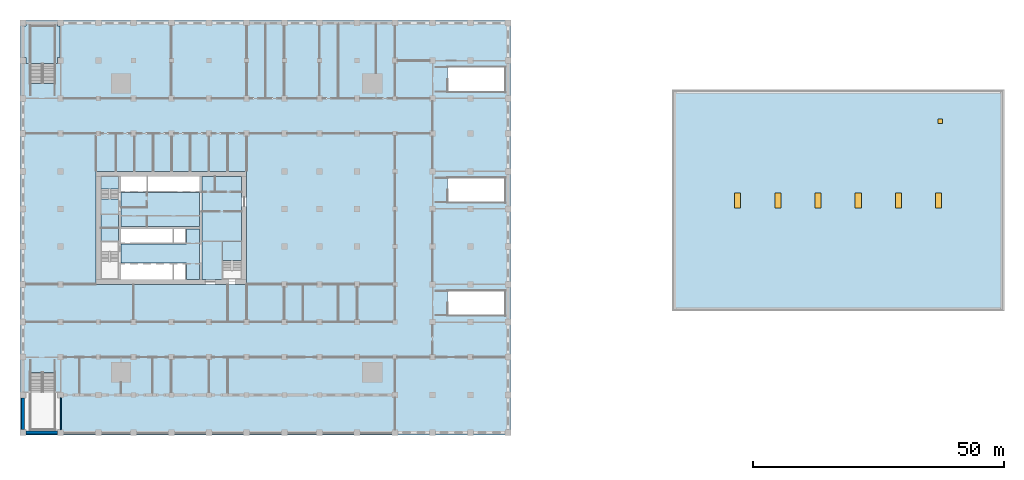
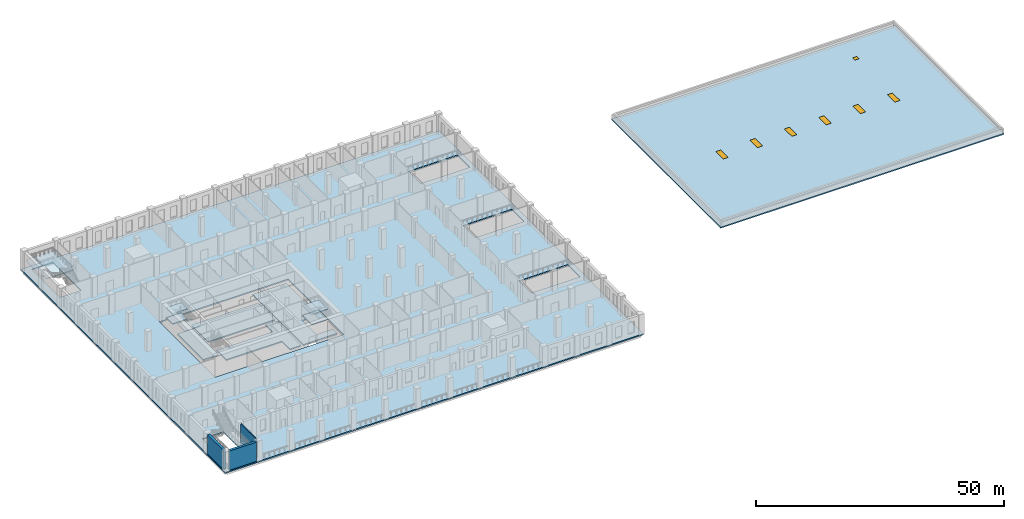
# One storey, part 2 of 22: 12 slabs, 7 windows, 3 walls, 7 openings, 3 elements without a shape of their own.
"""IFC4 building model written with IfcOpenShell, lengths in metres."""

from ifc_helpers import new_model, si_unit, direction, frame, frame_2d, origin, origin_2d, place, context, subcontext, project, spatial, polyline, rectangle, outline, extrude, material, layer, layer_set, type_object, element, fill, aggregate, save


model = new_model("IFC4")

# Units and contexts
model_context = context("Model", 3, precision=1e-05, world=origin(), true_north=direction((0.0, 1.0)))
body_context = subcontext(model_context, "Body", "Model", "MODEL_VIEW")
ifc_project = project(units=[si_unit("LENGTHUNIT", "METRE"), si_unit("AREAUNIT", "SQUARE_METRE"), si_unit("VOLUMEUNIT", "CUBIC_METRE"), si_unit("PLANEANGLEUNIT", "RADIAN"), si_unit("MASSUNIT", "GRAM", prefix="KILO")], contexts=[model_context])

# Site, building, storey
site_placement = place(None, origin())
site = spatial("IfcSite", under=ifc_project, at=site_placement, CompositionType="ELEMENT")
building_placement = place(site_placement, origin())
building = spatial("IfcBuilding", under=site, at=building_placement, Name="Tamorin Gate", CompositionType="ELEMENT")
storey_placement = place(building_placement, frame((0.0, 0.0, 29.0)))
storey = spatial("IfcBuildingStorey", under=building, at=storey_placement, Name="L05", CompositionType="ELEMENT", Elevation=29.0)

# Slabs
ifc_material_1 = material(Name="Concrete C40/50", Category="concrete")
ifc_layer_1 = layer(ifc_material_1, 0.300048828125)
ifc_layer_set_1 = layer_set([ifc_layer_1], Name="Core floor slab 300 C40/50")
slab_type_1 = type_object("IfcSlabType", Name="Core floor slab 300 C40/50", PredefinedType="FLOOR", material=ifc_layer_set_1)
slab_1_placement = place(storey_placement, frame((0.0, 0.0, -0.300048828125)))
element("IfcSlab", 1, at=slab_1_placement, inside=storey, type_object=slab_type_1, Name="Core floor L05", PredefinedType="FLOOR", context=body_context, shape_type="SweptSolid", body=[
    extrude(outline(polyline([(59.0, 62.800048828125), (59.0, 61.0), (51.10009765625, 61.0), (51.10009765625, 81.5), (59.0, 81.5), (59.0, 68.5), (55.199951171875, 68.5), (55.199951171875, 62.800048828125), (59.0, 62.800048828125)])), origin(), (0.0, 0.0, 1.0), 0.300048828125),
])
slab_2_placement = place(storey_placement, frame((0.0, 0.0, -0.300048828125)))
element("IfcSlab", 2, at=slab_2_placement, inside=storey, type_object=slab_type_1, Name="Core floor L05", PredefinedType="FLOOR", context=body_context, shape_type="SweptSolid", body=[
    extrude(outline(polyline([(50.60009765625, 61.0), (48.0, 61.0), (48.0, 64.199951171875), (35.0, 64.199951171875), (35.0, 68.050048828125), (48.0, 68.050048828125), (48.0, 71.0), (50.60009765625, 71.0), (50.60009765625, 61.0)])), origin(), (0.0, 0.0, 1.0), 0.300048828125),
])
slab_3_placement = place(storey_placement, frame((0.0, 0.0, -0.300048828125)))
element("IfcSlab", 3, at=slab_3_placement, inside=storey, type_object=slab_type_1, Name="Core floor L05", PredefinedType="FLOOR", context=body_context, shape_type="SweptSolid", body=[
    extrude(outline(polyline([(50.60009765625, 71.5), (35.0, 71.5), (35.0, 78.300048828125), (50.60009765625, 78.300048828125), (50.60009765625, 71.5)])), origin(), (0.0, 0.0, 1.0), 0.300048828125),
])
slab_4_placement = place(storey_placement, frame((0.0, 0.0, -0.300048828125)))
element("IfcSlab", 4, at=slab_4_placement, inside=storey, type_object=slab_type_1, Name="Core floor L05", PredefinedType="FLOOR", context=body_context, shape_type="SweptSolid", body=[
    extrude(outline(polyline([(31.0, 66.5), (31.0, 77.0), (34.5, 77.0), (34.5, 66.5), (31.0, 66.5)])), origin(), (0.0, 0.0, 1.0), 0.300048828125),
])

# Stair, slabs
stair_type_1 = type_object("IfcStairType", Name="Exit stair", PredefinedType="HALF_TURN_STAIR", material=ifc_material_1)
stair_1_placement = place(storey_placement, origin())
stair_1 = element("IfcStair", 5, at=stair_1_placement, inside=storey, type_object=stair_type_1, Name="L05 stair ST2", PredefinedType="HALF_TURN_STAIR")
ifc_layer_2 = layer(ifc_material_1, 0.199951171875)
ifc_layer_set_2 = layer_set([ifc_layer_2], Name="Exit stair landing 200")
slab_type_2 = type_object("IfcSlabType", Name="Exit stair landing 200", PredefinedType="LANDING", material=ifc_layer_set_2)
slab_5_placement = place(storey_placement, frame((0.0, 0.0, 1.050048828125)))
slab_5 = element("IfcSlab", 6, at=slab_5_placement, type_object=slab_type_2, Name="ST2 landing 1", PredefinedType="LANDING", context=body_context, shape_type="SweptSolid", body=[
    extrude(outline(polyline([(34.5, 78.9599609375), (34.5, 81.5), (31.0, 81.5), (31.0, 78.9599609375), (34.5, 78.9599609375)])), origin(), (0.0, 0.0, 1.0), 0.199951171875),
])
slab_6_placement = place(storey_placement, frame((0.0, 0.0, 2.300048828125)))
slab_6 = element("IfcSlab", 7, at=slab_6_placement, type_object=slab_type_2, Name="ST2 landing 2", PredefinedType="LANDING", context=body_context, shape_type="SweptSolid", body=[
    extrude(outline(polyline([(34.5, 74.0), (34.5, 77.0), (31.0, 77.0), (31.0, 74.0), (34.5, 74.0)])), origin(), (0.0, 0.0, 1.0), 0.199951171875),
])
slab_7_placement = place(storey_placement, frame((0.0, 0.0, 3.550048828125)))
slab_7 = element("IfcSlab", 8, at=slab_7_placement, type_object=slab_type_2, Name="ST2 landing 3", PredefinedType="LANDING", context=body_context, shape_type="SweptSolid", body=[
    extrude(outline(polyline([(34.5, 78.9599609375), (34.5, 81.5), (31.0, 81.5), (31.0, 78.9599609375), (34.5, 78.9599609375)])), origin(), (0.0, 0.0, 1.0), 0.199951171875),
])
aggregate(stair_1, [slab_5, slab_6, slab_7])

stair_2_placement = place(storey_placement, origin())
stair_2 = element("IfcStair", 9, at=stair_2_placement, inside=storey, type_object=stair_type_1, Name="L05 stair ST3", PredefinedType="HALF_TURN_STAIR")
slab_8_placement = place(storey_placement, frame((0.0, 0.0, 1.050048828125)))
slab_8 = element("IfcSlab", 10, at=slab_8_placement, type_object=slab_type_2, Name="ST3 landing 1", PredefinedType="LANDING", context=body_context, shape_type="SweptSolid", body=[
    extrude(outline(polyline([(59.0, 64.760009765625), (59.0, 68.5), (55.199951171875, 68.5), (55.199951171875, 64.760009765625), (59.0, 64.760009765625)])), origin(), (0.0, 0.0, 1.0), 0.199951171875),
])
slab_9_placement = place(storey_placement, frame((0.0, 0.0, 3.550048828125)))
slab_9 = element("IfcSlab", 11, at=slab_9_placement, type_object=slab_type_2, Name="ST3 landing 3", PredefinedType="LANDING", context=body_context, shape_type="SweptSolid", body=[
    extrude(outline(polyline([(59.0, 64.760009765625), (59.0, 68.5), (55.199951171875, 68.5), (55.199951171875, 64.760009765625), (59.0, 64.760009765625)])), origin(), (0.0, 0.0, 1.0), 0.199951171875),
])
aggregate(stair_2, [slab_8, slab_9])

# Slab, openings, windows
ifc_layer_3 = layer(ifc_material_1, 0.300048828125)
ifc_layer_set_3 = layer_set([ifc_layer_3], Name="Museum roof slab 300 C40/50")
slab_type_3 = type_object("IfcSlabType", Name="Museum roof slab 300 C40/50", PredefinedType="ROOF", material=ifc_layer_set_3)
slab_10_placement = place(storey_placement, frame((0.0, 0.0, -0.300048828125)))
slab_10 = element("IfcSlab", 12, at=slab_10_placement, inside=storey, type_object=slab_type_3, Name="Museum roof", PredefinedType="ROOF", context=body_context, shape_type="SweptSolid", body=[
    extrude(outline(polyline([(210.699951171875, 54.699951171875), (210.699951171875, 98.699951171875), (144.699951171875, 98.699951171875), (144.699951171875, 54.699951171875), (210.699951171875, 54.699951171875)])), origin(), (0.0, 0.0, 1.0), 0.300048828125),
])
opening_1_placement = place(slab_10_placement, frame((157.699951171875, 76.699951171875, 0.0)))
opening_1 = element("IfcOpeningElement", 13, at=opening_1_placement, cuts=slab_10, Name="Opening WNM3", PredefinedType="OPENING", context=body_context, shape_type="SweptSolid", body=[
    extrude(rectangle(XDim=1.199951171875, YDim=3.0, at=origin_2d()), origin(), (0.0, 0.0, 1.0), 0.300048828125),
])
opening_2_placement = place(slab_10_placement, frame((165.699951171875, 76.699951171875, 0.0)))
opening_2 = element("IfcOpeningElement", 14, at=opening_2_placement, cuts=slab_10, Name="Opening WNM3", PredefinedType="OPENING", context=body_context, shape_type="SweptSolid", body=[
    extrude(rectangle(XDim=1.199951171875, YDim=3.0, at=origin_2d()), origin(), (0.0, 0.0, 1.0), 0.300048828125),
])
opening_3_placement = place(slab_10_placement, frame((173.699951171875, 76.699951171875, 0.0)))
opening_3 = element("IfcOpeningElement", 15, at=opening_3_placement, cuts=slab_10, Name="Opening WNM3", PredefinedType="OPENING", context=body_context, shape_type="SweptSolid", body=[
    extrude(rectangle(XDim=1.199951171875, YDim=3.0, at=origin_2d()), origin(), (0.0, 0.0, 1.0), 0.300048828125),
])
opening_4_placement = place(slab_10_placement, frame((181.699951171875, 76.699951171875, 0.0)))
opening_4 = element("IfcOpeningElement", 16, at=opening_4_placement, cuts=slab_10, Name="Opening WNM3", PredefinedType="OPENING", context=body_context, shape_type="SweptSolid", body=[
    extrude(rectangle(XDim=1.199951171875, YDim=3.0, at=origin_2d()), origin(), (0.0, 0.0, 1.0), 0.300048828125),
])
opening_5_placement = place(slab_10_placement, frame((189.699951171875, 76.699951171875, 0.0)))
opening_5 = element("IfcOpeningElement", 17, at=opening_5_placement, cuts=slab_10, Name="Opening WNM3", PredefinedType="OPENING", context=body_context, shape_type="SweptSolid", body=[
    extrude(rectangle(XDim=1.199951171875, YDim=3.0, at=origin_2d()), origin(), (0.0, 0.0, 1.0), 0.300048828125),
])
opening_6_placement = place(slab_10_placement, frame((197.699951171875, 76.699951171875, 0.0)))
opening_6 = element("IfcOpeningElement", 18, at=opening_6_placement, cuts=slab_10, Name="Opening WNM3", PredefinedType="OPENING", context=body_context, shape_type="SweptSolid", body=[
    extrude(rectangle(XDim=1.199951171875, YDim=3.0, at=origin_2d()), origin(), (0.0, 0.0, 1.0), 0.300048828125),
])
opening_7_placement = place(slab_10_placement, frame((198.0, 92.5, 0.0)))
opening_7 = element("IfcOpeningElement", 19, at=opening_7_placement, cuts=slab_10, Name="Opening WNM2", PredefinedType="OPENING", context=body_context, shape_type="SweptSolid", body=[
    extrude(rectangle(XDim=0.89990234375, YDim=0.89990234375, at=origin_2d()), origin(), (0.0, 0.0, 1.0), 0.300048828125),
])
ifc_material_2 = material(Name="Aluminium and glass", Category="aluminium")
window_type_1 = type_object("IfcWindowType", Name="Museum rooflight 3000x1200", PartitioningType="SINGLE_PANEL", PredefinedType="SKYLIGHT", material=ifc_material_2)
window_1_placement = place(opening_1_placement, frame((0.0, 0.0, 0.25)))
window_1 = element("IfcWindow", 20, at=window_1_placement, inside=storey, type_object=window_type_1, Name="Museum rooflight", OverallHeight=3.0, OverallWidth=1.199951171875, PartitioningType="SINGLE_PANEL", PredefinedType="SKYLIGHT", context=body_context, shape_type="SweptSolid", body=[
    extrude(rectangle(XDim=1.199951171875, YDim=3.0, at=origin_2d()), origin(), (0.0, 0.0, 1.0), 0.050048828125),
])
fill(opening_1, window_1)
window_2_placement = place(opening_2_placement, frame((0.0, 0.0, 0.25)))
window_2 = element("IfcWindow", 21, at=window_2_placement, inside=storey, type_object=window_type_1, Name="Museum rooflight", OverallHeight=3.0, OverallWidth=1.199951171875, PartitioningType="SINGLE_PANEL", PredefinedType="SKYLIGHT", context=body_context, shape_type="SweptSolid", body=[
    extrude(rectangle(XDim=1.199951171875, YDim=3.0, at=origin_2d()), origin(), (0.0, 0.0, 1.0), 0.050048828125),
])
fill(opening_2, window_2)
window_3_placement = place(opening_3_placement, frame((0.0, 0.0, 0.25)))
window_3 = element("IfcWindow", 22, at=window_3_placement, inside=storey, type_object=window_type_1, Name="Museum rooflight", OverallHeight=3.0, OverallWidth=1.199951171875, PartitioningType="SINGLE_PANEL", PredefinedType="SKYLIGHT", context=body_context, shape_type="SweptSolid", body=[
    extrude(rectangle(XDim=1.199951171875, YDim=3.0, at=origin_2d()), origin(), (0.0, 0.0, 1.0), 0.050048828125),
])
fill(opening_3, window_3)
window_4_placement = place(opening_4_placement, frame((0.0, 0.0, 0.25)))
window_4 = element("IfcWindow", 23, at=window_4_placement, inside=storey, type_object=window_type_1, Name="Museum rooflight", OverallHeight=3.0, OverallWidth=1.199951171875, PartitioningType="SINGLE_PANEL", PredefinedType="SKYLIGHT", context=body_context, shape_type="SweptSolid", body=[
    extrude(rectangle(XDim=1.199951171875, YDim=3.0, at=origin_2d()), origin(), (0.0, 0.0, 1.0), 0.050048828125),
])
fill(opening_4, window_4)
window_5_placement = place(opening_5_placement, frame((0.0, 0.0, 0.25)))
window_5 = element("IfcWindow", 24, at=window_5_placement, inside=storey, type_object=window_type_1, Name="Museum rooflight", OverallHeight=3.0, OverallWidth=1.199951171875, PartitioningType="SINGLE_PANEL", PredefinedType="SKYLIGHT", context=body_context, shape_type="SweptSolid", body=[
    extrude(rectangle(XDim=1.199951171875, YDim=3.0, at=origin_2d()), origin(), (0.0, 0.0, 1.0), 0.050048828125),
])
fill(opening_5, window_5)
window_6_placement = place(opening_6_placement, frame((0.0, 0.0, 0.25)))
window_6 = element("IfcWindow", 25, at=window_6_placement, inside=storey, type_object=window_type_1, Name="Museum rooflight", OverallHeight=3.0, OverallWidth=1.199951171875, PartitioningType="SINGLE_PANEL", PredefinedType="SKYLIGHT", context=body_context, shape_type="SweptSolid", body=[
    extrude(rectangle(XDim=1.199951171875, YDim=3.0, at=origin_2d()), origin(), (0.0, 0.0, 1.0), 0.050048828125),
])
fill(opening_6, window_6)
window_type_2 = type_object("IfcWindowType", Name="Roof access hatch 900x900", PartitioningType="SINGLE_PANEL", PredefinedType="SKYLIGHT", material=ifc_material_2)
window_7_placement = place(opening_7_placement, frame((0.0, 0.0, 0.25)))
window_7 = element("IfcWindow", 26, at=window_7_placement, inside=storey, type_object=window_type_2, Name="Roof access hatch", OverallHeight=0.89990234375, OverallWidth=0.89990234375, PartitioningType="SINGLE_PANEL", PredefinedType="SKYLIGHT", context=body_context, shape_type="SweptSolid", body=[
    extrude(rectangle(XDim=0.89990234375, YDim=0.89990234375, at=origin_2d()), origin(), (0.0, 0.0, 1.0), 0.050048828125),
])
fill(opening_7, window_7)

# Slab
ifc_material_3 = material(Name="Concrete C45/55", Category="concrete")
ifc_layer_4 = layer(ifc_material_3, 0.300048828125)
ifc_layer_set_4 = layer_set([ifc_layer_4], Name="Podium slab 300 C45/55")
slab_type_4 = type_object("IfcSlabType", Name="Podium slab 300 C45/55", PredefinedType="FLOOR", material=ifc_layer_set_4)
slab_11_placement = place(storey_placement, frame((0.0, 0.0, -0.300048828125)))
element("IfcSlab", 27, at=slab_11_placement, inside=storey, type_object=slab_type_4, Name="Podium L05", PredefinedType="FLOOR", context=body_context, shape_type="SweptSolid", body=[
    extrude(outline(polyline([(15.0, 30.0), (112.5, 30.0), (112.5, 112.5), (15.0, 112.5), (15.0, 30.0)]), holes=[polyline([(60.0, 60.0), (60.0, 82.5), (30.0, 82.5), (30.0, 60.0), (60.0, 60.0)]), polyline([(16.925537109375, 42.49951171875), (21.87451171875, 42.49951171875), (21.87451171875, 31.1005859375), (16.925537109375, 31.1005859375), (16.925537109375, 42.49951171875)]), polyline([(21.87451171875, 100.00048828125), (16.925537109375, 100.00048828125), (16.925537109375, 111.3994140625), (21.87451171875, 111.3994140625), (21.87451171875, 100.00048828125)]), polyline([(100.00048828125, 53.775390625), (100.00048828125, 58.724609375), (111.3994140625, 58.724609375), (111.3994140625, 53.775390625), (100.00048828125, 53.775390625)]), polyline([(100.00048828125, 98.275390625), (100.00048828125, 103.224609375), (111.3994140625, 103.224609375), (111.3994140625, 98.275390625), (100.00048828125, 98.275390625)]), polyline([(100.00048828125, 76.275390625), (100.00048828125, 81.224609375), (111.3994140625, 81.224609375), (111.3994140625, 76.275390625), (100.00048828125, 76.275390625)])]), origin(), (0.0, 0.0, 1.0), 0.300048828125),
])

# Stair, slab
ifc_material_4 = material(Name="Reinforced concrete C32/40", Category="concrete")
stair_type_2 = type_object("IfcStairType", Name="Podium stair PS", PredefinedType="HALF_TURN_STAIR", material=ifc_material_4)
stair_3_placement = place(storey_placement, origin())
stair_3 = element("IfcStair", 28, at=stair_3_placement, inside=storey, type_object=stair_type_2, Name="L05 Podium stair PS2", PredefinedType="HALF_TURN_STAIR")
ifc_layer_5 = layer(ifc_material_4, 0.199951171875)
ifc_layer_set_5 = layer_set([ifc_layer_5], Name="Stair landing 200")
slab_type_5 = type_object("IfcSlabType", Name="Stair landing 200", PredefinedType="LANDING", material=ifc_layer_set_5)
slab_12_placement = place(storey_placement, frame((0.0, 0.0, 2.300048828125)))
slab_12 = element("IfcSlab", 29, at=slab_12_placement, type_object=slab_type_5, Name="PS2 landing 1", PredefinedType="LANDING", context=body_context, shape_type="SweptSolid", body=[
    extrude(outline(polyline([(22.39990234375, 105.10009765625), (22.39990234375, 103.919921875), (16.10009765625, 103.919921875), (16.10009765625, 105.10009765625), (15.64990234375, 105.10009765625), (15.64990234375, 111.39990234375), (16.10009765625, 111.39990234375), (16.10009765625, 111.85009765625), (22.39990234375, 111.85009765625), (22.39990234375, 111.39990234375), (22.89990234375, 111.39990234375), (22.89990234375, 105.10009765625), (22.39990234375, 105.10009765625)])), origin(), (0.0, 0.0, 1.0), 0.199951171875),
])
aggregate(stair_3, [slab_12])

# Walls
ifc_material_5 = material(Name="Precast concrete C40/50", Category="concrete")
ifc_layer_6 = layer(ifc_material_5, 0.60009765625)
ifc_layer_set_6 = layer_set([ifc_layer_6], Name="Precast concrete C40/50")
wall_type_1 = type_object("IfcWallType", Name="Precast plinth wall 600", PredefinedType="PARTITIONING", material=ifc_layer_set_6)
for number, where, z_axis, x_axis, name in (
    (30, (16.10009765625, 30.5, 0.0), (0.0, 0.0, 1.0), (1.0, 0.0, 0.0), "Precast plinth wall 600 L05"),
    (31, (15.5, 31.10009765625, 0.0), (0.0, 0.0, 1.0), (0.0, 1.0, 0.0), "Precast plinth wall 600 L05"),
):
    element("IfcWall", number, at=place(storey_placement, frame(where, z_axis=z_axis, x_axis=x_axis)), inside=storey, type_object=wall_type_1, Name=name, PredefinedType="PARTITIONING", context=body_context, shape_type="SweptSolid", body=[
        extrude(rectangle(XDim=6.2998046875, YDim=0.60009765625, at=frame_2d((3.14990234375, 0.0))), origin(), (0.0, 0.0, 1.0), 4.699951171875),
    ])
ifc_layer_7 = layer(ifc_material_1, 0.199951171875)
ifc_layer_set_7 = layer_set([ifc_layer_7], Name="Stair enclosure 200")
wall_type_2 = type_object("IfcWallType", Name="Stair enclosure 200", PredefinedType="SHEAR", material=ifc_layer_set_7)
wall_placement = place(storey_placement, frame((23.0, 31.10009765625, 0.0), z_axis=(0.0, 0.0, 1.0), x_axis=(0.0, 1.0, 0.0)))
element("IfcWall", 32, at=wall_placement, inside=storey, type_object=wall_type_2, Name="Stair enclosure 200 L05", PredefinedType="SHEAR", context=body_context, shape_type="SweptSolid", body=[
    extrude(rectangle(XDim=6.2998046875, YDim=0.199951171875, at=frame_2d((3.14990234375, 0.0))), origin(), (0.0, 0.0, 1.0), 4.699951171875),
])

save(model, "model.ifc")
